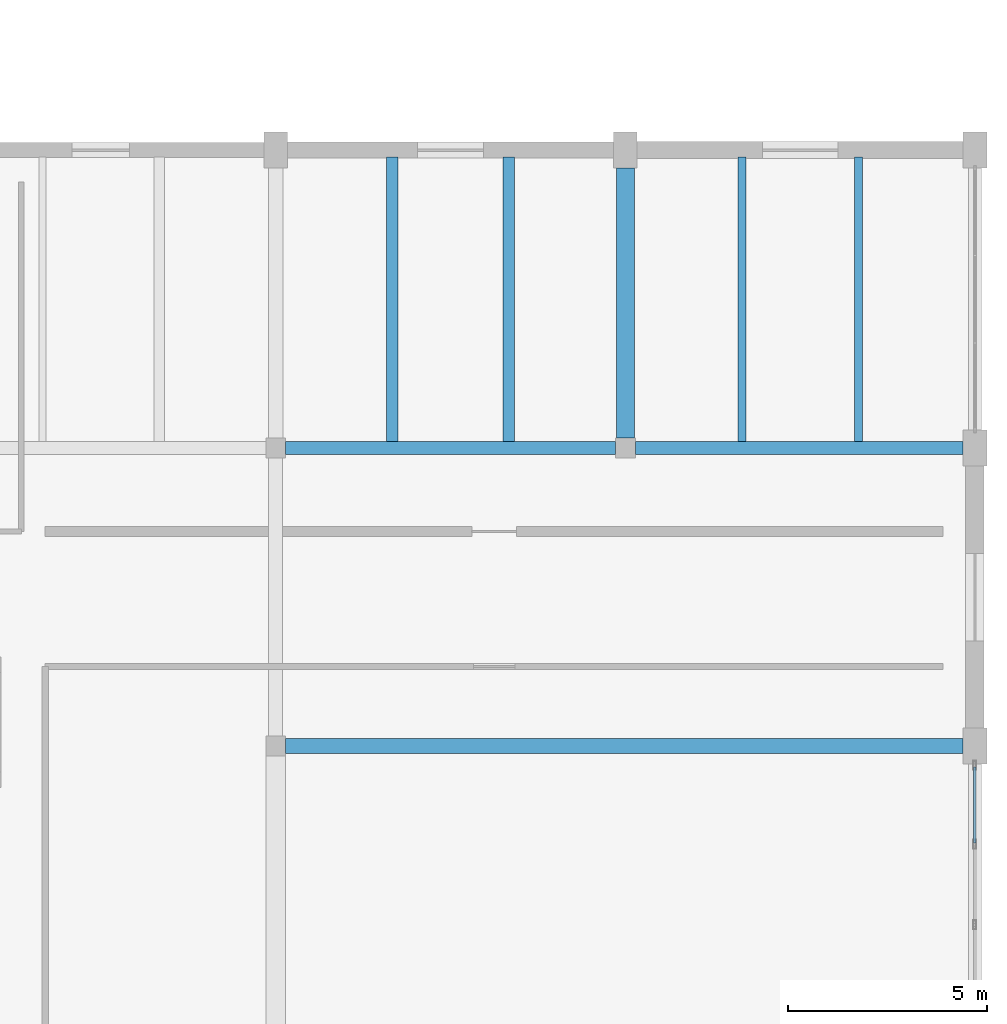
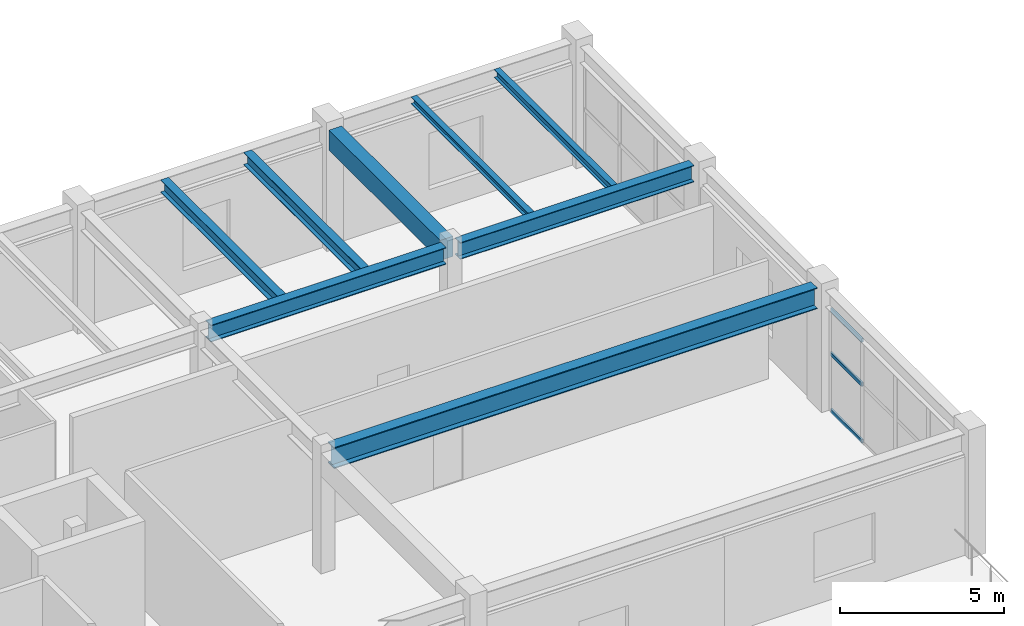
# One storey, part 30 of 62: 8 beams, 3 members, 1 element without a shape of its own.
"""IFC4 building model written with IfcOpenShell, lengths in metres."""

from ifc_helpers import new_model, si_unit, direction, frame, origin, origin_2d, place, context, subcontext, project, spatial, rectangle, hollow_rectangle, i_section, extrude, material, layer, layer_set, material_profile, profile_set, type_object, element, aggregate, save


model = new_model("IFC4")

# Units and contexts
model_context = context("Model", 3, precision=1e-05, world=origin(), true_north=direction((0.0, 1.0)))
body_context = subcontext(model_context, "Body", "Model", "MODEL_VIEW")
ifc_project = project(units=[si_unit("LENGTHUNIT", "METRE"), si_unit("AREAUNIT", "SQUARE_METRE"), si_unit("VOLUMEUNIT", "CUBIC_METRE"), si_unit("PLANEANGLEUNIT", "RADIAN"), si_unit("MASSUNIT", "GRAM", prefix="KILO")], contexts=[model_context])

# Site, building, storey
site_placement = place(None, origin())
site = spatial("IfcSite", under=ifc_project, at=site_placement, CompositionType="ELEMENT")
building_placement = place(site_placement, origin())
building = spatial("IfcBuilding", under=site, at=building_placement, Name="Vaelkrest Opera House", CompositionType="ELEMENT")
storey_placement = place(building_placement, frame((0.0, 0.0, 19.800048828125)))
storey = spatial("IfcBuildingStorey", under=building, at=storey_placement, Name="L04", CompositionType="ELEMENT", Elevation=19.800048828125)

# Beams
ifc_material_1 = material(Name="Concrete C50/60", Category="concrete")
ifc_material_profile_1 = material_profile(ifc_material_1, rectangle(XDim=0.449951171875, YDim=0.75, at=origin_2d()), Name="RCB450X750")
ifc_profile_set_1 = profile_set([ifc_material_profile_1], Name="Concrete C50/60")
beam_type_1 = type_object("IfcBeamType", Name="B02", PredefinedType="BEAM", material=ifc_profile_set_1)
beam_1_placement = place(storey_placement, frame((60.0, 17.949951171875, 4.1298828125), z_axis=(0.0, 1.0, 0.0), x_axis=(-1.0, 0.0, 0.0)))
element("IfcBeam", 1, at=beam_1_placement, inside=storey, type_object=beam_type_1, Name="Beam BM-V4-L04-2423", PredefinedType="BEAM", context=body_context, shape_type="SweptSolid", body=[
    extrude(rectangle(XDim=0.449951171875, YDim=0.75, at=origin_2d()), origin(), (0.0, 0.0, 1.0), 6.800048828125),
])
ifc_material_2 = material(Name="Steel A992 Gr50", Category="steel")
ifc_material_profile_2 = material_profile(ifc_material_2, i_section(OverallWidth=0.327880859375, OverallDepth=0.6279296875, WebThickness=0.0166015625, FlangeThickness=0.027587890625, at=origin_2d()), Name="W24X146")
ifc_profile_set_2 = profile_set([ifc_material_profile_2], Name="Steel A992 Gr50")
beam_type_2 = type_object("IfcBeamType", Name="B09", PredefinedType="BEAM", material=ifc_profile_set_2)
beam_2_placement = place(storey_placement, frame((51.449951171875, 17.699951171875, 4.19091796875), z_axis=(1.0, 0.0, 0.0), x_axis=(0.0, 1.0, 0.0)))
element("IfcBeam", 2, at=beam_2_placement, inside=storey, type_object=beam_type_2, Name="Beam BM-V4-L04-2410", PredefinedType="BEAM", context=body_context, shape_type="SweptSolid", body=[
    extrude(i_section(OverallWidth=0.327880859375, OverallDepth=0.6279296875, WebThickness=0.0166015625, FlangeThickness=0.027587890625, at=origin_2d()), origin(), (0.0, 0.0, 1.0), 8.300048828125),
])
ifc_material_profile_3 = material_profile(ifc_material_2, i_section(OverallWidth=0.384033203125, OverallDepth=0.785888671875, WebThickness=0.019775390625, FlangeThickness=0.033447265625, at=origin_2d()), Name="W30X211")
ifc_profile_set_3 = profile_set([ifc_material_profile_3], Name="Steel A992 Gr50")
beam_type_3 = type_object("IfcBeamType", Name="B16", PredefinedType="BEAM", material=ifc_profile_set_3)
beam_3_placement = place(storey_placement, frame((51.449951171875, 10.199951171875, 4.112060546875), z_axis=(1.0, 0.0, 0.0), x_axis=(0.0, 1.0, 0.0)))
element("IfcBeam", 3, at=beam_3_placement, inside=storey, type_object=beam_type_3, Name="Beam BM-V4-L04-2408", PredefinedType="BEAM", context=body_context, shape_type="SweptSolid", body=[
    extrude(i_section(OverallWidth=0.384033203125, OverallDepth=0.785888671875, WebThickness=0.019775390625, FlangeThickness=0.033447265625, at=origin_2d()), origin(), (0.0, 0.0, 1.0), 17.050048828125),
])
ifc_material_profile_4 = material_profile(ifc_material_2, i_section(OverallWidth=0.326904296875, OverallDepth=0.6220703125, WebThickness=0.015380859375, FlangeThickness=0.0244140625, at=origin_2d()), Name="W24X131")
ifc_profile_set_4 = profile_set([ifc_material_profile_4], Name="Steel A992 Gr50")
beam_type_4 = type_object("IfcBeamType", Name="B19", PredefinedType="BEAM", material=ifc_profile_set_4)
beam_4_placement = place(storey_placement, frame((60.25, 17.699951171875, 4.19384765625), z_axis=(1.0, 0.0, 0.0), x_axis=(0.0, 1.0, 0.0)))
element("IfcBeam", 4, at=beam_4_placement, inside=storey, type_object=beam_type_4, Name="Beam BM-V4-L04-2411", PredefinedType="BEAM", context=body_context, shape_type="SweptSolid", body=[
    extrude(i_section(OverallWidth=0.326904296875, OverallDepth=0.6220703125, WebThickness=0.015380859375, FlangeThickness=0.0244140625, at=origin_2d()), origin(), (0.0, 0.0, 1.0), 8.25),
])

# Curtain wall, members
ifc_material_3 = material(Name="Dark bronze anodized aluminium", Category="aluminium")
ifc_layer = layer(ifc_material_3, 0.239990234375)
ifc_layer_set = layer_set([ifc_layer], Name="Dark bronze anodized aluminium")
curtain_wall_type = type_object("IfcCurtainWallType", Name="CW07", PredefinedType="NOTDEFINED", material=ifc_layer_set)
curtain_wall_placement = place(storey_placement, origin())
curtain_wall = element("IfcCurtainWall", 5, at=curtain_wall_placement, inside=storey, type_object=curtain_wall_type, Name="Curtain wall CW-L04-171", PredefinedType="NOTDEFINED")
ifc_material_profile_5 = material_profile(ifc_material_3, hollow_rectangle(XDim=0.06494140625, YDim=0.139892578125, WallThickness=0.00390625, at=origin_2d()), Name="CWT65X140")
ifc_profile_set_5 = profile_set([ifc_material_profile_5], Name="Dark bronze anodized aluminium")
member_type = type_object("IfcMemberType", Name="CWT01", PredefinedType="USERDEFINED", material=ifc_profile_set_5)
member_1_placement = place(storey_placement, frame((68.800048828125, 9.677001953125, 0.032470703125), z_axis=(0.0, -1.0, 0.0), x_axis=(1.0, 0.0, 0.0)))
member_1 = element("IfcMember", 6, at=member_1_placement, type_object=member_type, Name="CW07 transom 1.1", ObjectType="TRANSOM", PredefinedType="USERDEFINED", context=body_context, shape_type="SweptSolid", body=[
    extrude(hollow_rectangle(XDim=0.06494140625, YDim=0.139892578125, WallThickness=0.00390625, at=origin_2d()), origin(), (0.0, 0.0, 1.0), 1.91357421875),
])
member_2_placement = place(storey_placement, frame((68.800048828125, 9.677001953125, 2.14990234375), z_axis=(0.0, -1.0, 0.0), x_axis=(1.0, 0.0, 0.0)))
member_2 = element("IfcMember", 7, at=member_2_placement, type_object=member_type, Name="CW07 transom 1.2", ObjectType="TRANSOM", PredefinedType="USERDEFINED", context=body_context, shape_type="SweptSolid", body=[
    extrude(hollow_rectangle(XDim=0.06494140625, YDim=0.139892578125, WallThickness=0.00390625, at=origin_2d()), origin(), (0.0, 0.0, 1.0), 1.91357421875),
])
member_3_placement = place(storey_placement, frame((68.800048828125, 9.677001953125, 3.79638671875), z_axis=(0.0, -1.0, 0.0), x_axis=(1.0, 0.0, 0.0)))
member_3 = element("IfcMember", 8, at=member_3_placement, type_object=member_type, Name="CW07 transom 1.3", ObjectType="TRANSOM", PredefinedType="USERDEFINED", context=body_context, shape_type="SweptSolid", body=[
    extrude(hollow_rectangle(XDim=0.06494140625, YDim=0.139892578125, WallThickness=0.00390625, at=origin_2d()), origin(), (0.0, 0.0, 1.0), 1.91357421875),
])
aggregate(curtain_wall, [member_1, member_2, member_3])

# Beams
ifc_material_profile_6 = material_profile(ifc_material_2, i_section(OverallWidth=0.2041015625, OverallDepth=0.257080078125, WebThickness=0.0087890625, FlangeThickness=0.015625, at=origin_2d()), Name="W10X45")
ifc_profile_set_6 = profile_set([ifc_material_profile_6], Name="Steel A992 Gr50")
beam_type_5 = type_object("IfcBeamType", Name="J01", PredefinedType="JOIST", material=ifc_profile_set_6)
beam_5_placement = place(storey_placement, frame((62.93310546875, 17.863525390625, 4.37646484375), z_axis=(0.0, 1.0, 0.0), x_axis=(-1.0, 0.0, 0.0)))
element("IfcBeam", 9, at=beam_5_placement, inside=storey, type_object=beam_type_5, Name="Floor joist JST-V4-L04-2431", PredefinedType="JOIST", context=body_context, shape_type="SweptSolid", body=[
    extrude(i_section(OverallWidth=0.2041015625, OverallDepth=0.257080078125, WebThickness=0.0087890625, FlangeThickness=0.015625, at=origin_2d()), origin(), (0.0, 0.0, 1.0), 7.158935546875),
])
ifc_material_profile_7 = material_profile(ifc_material_2, i_section(OverallWidth=0.202880859375, OverallDepth=0.302978515625, WebThickness=0.007568359375, FlangeThickness=0.01318359375, at=origin_2d()), Name="W12X40")
ifc_profile_set_7 = profile_set([ifc_material_profile_7], Name="Steel A992 Gr50")
beam_type_6 = type_object("IfcBeamType", Name="J02", PredefinedType="JOIST", material=ifc_profile_set_7)
beam_6_placement = place(storey_placement, frame((65.866943359375, 17.863525390625, 4.353515625), z_axis=(0.0, 1.0, 0.0), x_axis=(-1.0, 0.0, 0.0)))
element("IfcBeam", 10, at=beam_6_placement, inside=storey, type_object=beam_type_6, Name="Floor joist JST-V4-L04-2432", PredefinedType="JOIST", context=body_context, shape_type="SweptSolid", body=[
    extrude(i_section(OverallWidth=0.202880859375, OverallDepth=0.302978515625, WebThickness=0.007568359375, FlangeThickness=0.01318359375, at=origin_2d()), origin(), (0.0, 0.0, 1.0), 7.158935546875),
])
ifc_material_profile_8 = material_profile(ifc_material_2, i_section(OverallWidth=0.280029296875, OverallDepth=0.462890625, WebThickness=0.0107421875, FlangeThickness=0.017333984375, at=origin_2d()), Name="W18X76")
ifc_profile_set_8 = profile_set([ifc_material_profile_8], Name="Steel A992 Gr50")
beam_type_7 = type_object("IfcBeamType", Name="J09", PredefinedType="JOIST", material=ifc_profile_set_8)
beam_7_placement = place(storey_placement, frame((54.133056640625, 17.864013671875, 4.2734375), z_axis=(0.0, 1.0, 0.0), x_axis=(-1.0, 0.0, 0.0)))
element("IfcBeam", 11, at=beam_7_placement, inside=storey, type_object=beam_type_7, Name="Floor joist JST-V4-L04-2429", PredefinedType="JOIST", context=body_context, shape_type="SweptSolid", body=[
    extrude(i_section(OverallWidth=0.280029296875, OverallDepth=0.462890625, WebThickness=0.0107421875, FlangeThickness=0.017333984375, at=origin_2d()), origin(), (0.0, 0.0, 1.0), 7.158447265625),
])
ifc_material_profile_9 = material_profile(ifc_material_2, i_section(OverallWidth=0.282958984375, OverallDepth=0.471923828125, WebThickness=0.013671875, FlangeThickness=0.022216796875, at=origin_2d()), Name="W18X97")
ifc_profile_set_9 = profile_set([ifc_material_profile_9], Name="Steel A992 Gr50")
beam_type_8 = type_object("IfcBeamType", Name="J10", PredefinedType="JOIST", material=ifc_profile_set_9)
beam_8_placement = place(storey_placement, frame((57.06689453125, 17.864013671875, 4.26904296875), z_axis=(0.0, 1.0, 0.0), x_axis=(-1.0, 0.0, 0.0)))
element("IfcBeam", 12, at=beam_8_placement, inside=storey, type_object=beam_type_8, Name="Floor joist JST-V4-L04-2430", PredefinedType="JOIST", context=body_context, shape_type="SweptSolid", body=[
    extrude(i_section(OverallWidth=0.282958984375, OverallDepth=0.471923828125, WebThickness=0.013671875, FlangeThickness=0.022216796875, at=origin_2d()), origin(), (0.0, 0.0, 1.0), 7.158447265625),
])

save(model, "model.ifc")
